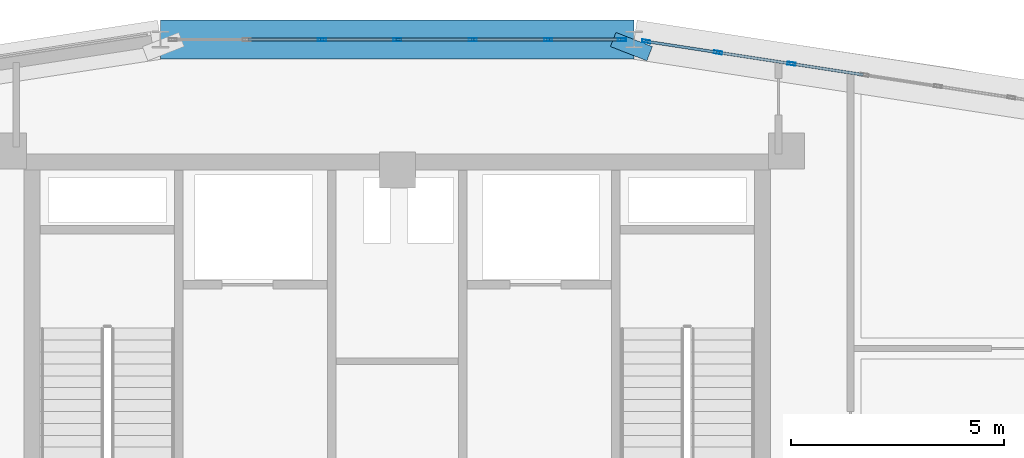
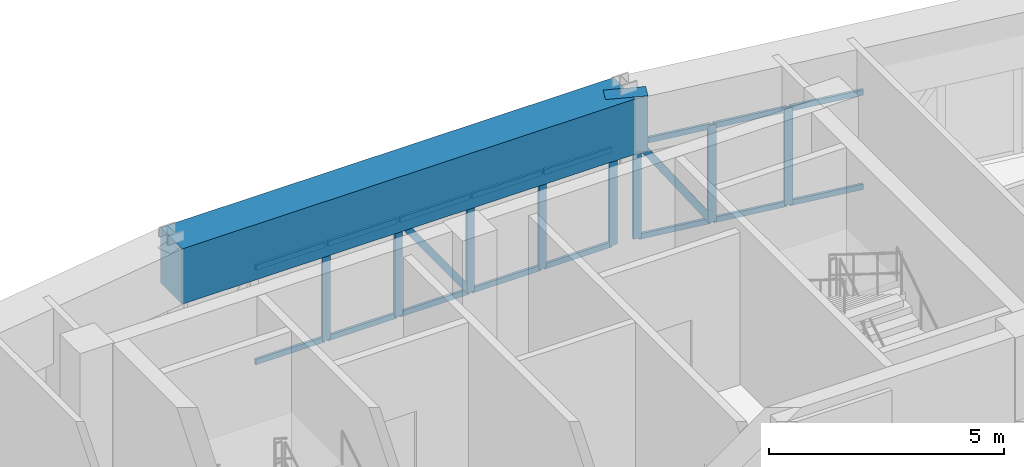
# One storey, part 9 of 17: 26 members, 2 beams, 2 elements without a shape of their own.
"""IFC4 building model written with IfcOpenShell, lengths in metres."""

from ifc_helpers import new_model, si_unit, derived_unit, direction, frame, origin, origin_2d, place, context, subcontext, project, spatial, rectangle, hollow_rectangle, extrude, source, transform, mapped, material, layer, layer_set, material_profile, profile_set, type_object, element, aggregate, save


model = new_model("IFC4")

# Units and contexts
model_context = context("Model", 3, precision=1e-05, world=origin(), true_north=direction((0.0, 1.0)))
body_context = subcontext(model_context, "Body", "Model", "MODEL_VIEW")
ifc_project = project(units=[si_unit("LENGTHUNIT", "METRE"), si_unit("AREAUNIT", "SQUARE_METRE"), si_unit("VOLUMEUNIT", "CUBIC_METRE"), si_unit("PLANEANGLEUNIT", "RADIAN"), si_unit("MASSUNIT", "GRAM", prefix="KILO"), derived_unit("THERMALTRANSMITTANCEUNIT", [(si_unit("POWERUNIT", "WATT"), 1), (si_unit("LENGTHUNIT", "METRE"), -2), (si_unit("THERMODYNAMICTEMPERATUREUNIT", "KELVIN"), -1)])], contexts=[model_context])

# Site, building, storey
site_placement = place(None, origin())
site = spatial("IfcSite", under=ifc_project, at=site_placement, CompositionType="ELEMENT")
building_placement = place(site_placement, origin())
building = spatial("IfcBuilding", under=site, at=building_placement, Name="Korsvarv Bourse and Concert Hall", CompositionType="ELEMENT")
storey_placement = place(building_placement, frame((0.0, 0.0, 279.60009765625)))
storey = spatial("IfcBuildingStorey", under=building, at=storey_placement, Name="L73", CompositionType="ELEMENT", Elevation=279.60009765625)

# Beams
ifc_material_1 = material(Name="Concrete C50/60", Category="concrete")
ifc_material_profile_1 = material_profile(ifc_material_1, rectangle(XDim=0.919921875, YDim=1.43994140625, at=origin_2d()), Name="RC-BM 920x1440")
ifc_profile_set_1 = profile_set([ifc_material_profile_1], Name="Concrete C50/60")
beam_type = type_object("IfcBeamType", Name="BM-TR-144", PredefinedType="BEAM", material=ifc_profile_set_1)
shared_shape_1 = source(origin(), body_context, "Body", "SweptSolid", [
    extrude(rectangle(XDim=0.919921875, YDim=1.43994140625, at=origin_2d()), origin(), (0.0, 0.0, 1.0), 0.3564453125),
])
beam_1_placement = place(storey_placement, frame((41.569580078125, 49.867919921875, 3.239990234375), z_axis=(-0.363701957319, -0.93151537091, 0.0), x_axis=(0.93151537091, -0.363701957319, 0.0)))
element("IfcBeam", 1, at=beam_1_placement, inside=storey, type_object=beam_type, Name="L73 beam B-TR4", PredefinedType="BEAM", context=body_context, shape_type="MappedRepresentation", body=[
    mapped(shared_shape_1, transform((0.0, 0.0, 0.0), scale=1.0)),
])
shared_shape_2 = source(origin(), body_context, "Body", "SweptSolid", [
    extrude(rectangle(XDim=0.919921875, YDim=1.43994140625, at=origin_2d()), origin(), (0.0, 0.0, 1.0), 11.13916015625),
])
beam_2_placement = place(storey_placement, frame((41.569580078125, 49.867919921875, 3.239990234375), z_axis=(-1.0, 0.0, 0.0), x_axis=(0.0, -1.0, 0.0)))
element("IfcBeam", 2, at=beam_2_placement, inside=storey, type_object=beam_type, Name="L73 beam B-TR4", PredefinedType="BEAM", context=body_context, shape_type="MappedRepresentation", body=[
    mapped(shared_shape_2, transform((0.0, 0.0, 0.0), scale=1.0)),
])

# Curtain wall, members
ifc_material_2 = material(Name="Anodised aluminium and triple low-E glazing", Category="glass")
ifc_layer = layer(ifc_material_2, 0.18994140625)
ifc_layer_set = layer_set([ifc_layer], Name="Anodised aluminium and triple low-E glazing")
curtain_wall_type = type_object("IfcCurtainWallType", Name="CW-SYS-4", PredefinedType="NOTDEFINED", material=ifc_layer_set)
curtain_wall_1_placement = place(storey_placement, origin())
curtain_wall_1 = element("IfcCurtainWall", 3, at=curtain_wall_1_placement, inside=storey, type_object=curtain_wall_type, Name="L73 CW4 curtain wall CW-L73-F02", PredefinedType="NOTDEFINED")
ifc_material_3 = material(Name="Extruded aluminium EN AW-6063 T66", Category="aluminium")
ifc_material_profile_2 = material_profile(ifc_material_3, hollow_rectangle(XDim=0.070068359375, YDim=0.18994140625, WallThickness=0.0048828125, at=origin_2d()), Name="ALU-M 70x190")
ifc_profile_set_2 = profile_set([ifc_material_profile_2], Name="Extruded aluminium EN AW-6063 T66")
member_type_1 = type_object("IfcMemberType", Name="CWM-190", PredefinedType="MULLION", material=ifc_profile_set_2)
shared_shape_3 = source(origin(), body_context, "Body", "SweptSolid", [
    extrude(hollow_rectangle(XDim=0.070068359375, YDim=0.18994140625, WallThickness=0.0048828125, at=origin_2d()), origin(), (0.0, 0.0, 1.0), 2.52001953125),
])
member_1_placement = place(storey_placement, frame((45.26806640625, 49.29931640625, 0.0), z_axis=(0.0, 0.0, 1.0), x_axis=(-0.151931020537, -0.98839109921, 0.0)))
member_1 = element("IfcMember", 4, at=member_1_placement, type_object=member_type_1, Name="CW4 mullion 6", PredefinedType="MULLION", context=body_context, shape_type="MappedRepresentation", body=[
    mapped(shared_shape_3, transform((0.0, 0.0, 0.0), scale=1.0)),
])
member_2_placement = place(storey_placement, frame((43.5439453125, 49.564208984375, 0.0), z_axis=(0.0, 0.0, 1.0), x_axis=(-0.151931020537, -0.98839109921, 0.0)))
member_2 = element("IfcMember", 5, at=member_2_placement, type_object=member_type_1, Name="CW4 mullion 7", PredefinedType="MULLION", context=body_context, shape_type="MappedRepresentation", body=[
    mapped(shared_shape_3, transform((0.0, 0.0, 0.0), scale=1.0)),
])
member_3_placement = place(storey_placement, frame((41.8544921875, 49.823974609375, 0.0), z_axis=(0.0, 0.0, 1.0), x_axis=(-0.151931020537, -0.98839109921, 0.0)))
member_3 = element("IfcMember", 6, at=member_3_placement, type_object=member_type_1, Name="CW4 mullion 8", PredefinedType="MULLION", context=body_context, shape_type="MappedRepresentation", body=[
    mapped(shared_shape_3, transform((0.0, 0.0, 0.0), scale=1.0)),
])

curtain_wall_2_placement = place(storey_placement, origin())
curtain_wall_2 = element("IfcCurtainWall", 7, at=curtain_wall_2_placement, inside=storey, type_object=curtain_wall_type, Name="L73 CW4 curtain wall CW-L73-F03", PredefinedType="NOTDEFINED")
member_4_placement = place(storey_placement, frame((41.283935546875, 49.867919921875, 0.0), z_axis=(0.0, 0.0, 1.0), x_axis=(0.0, -1.0, 0.0)))
member_4 = element("IfcMember", 8, at=member_4_placement, type_object=member_type_1, Name="CW4 mullion 1", PredefinedType="MULLION", context=body_context, shape_type="MappedRepresentation", body=[
    mapped(shared_shape_3, transform((0.0, 0.0, 0.0), scale=1.0)),
])
member_5_placement = place(storey_placement, frame((39.5458984375, 49.867919921875, 0.0), z_axis=(0.0, 0.0, 1.0), x_axis=(0.0, -1.0, 0.0)))
member_5 = element("IfcMember", 9, at=member_5_placement, type_object=member_type_1, Name="CW4 mullion 2", PredefinedType="MULLION", context=body_context, shape_type="MappedRepresentation", body=[
    mapped(shared_shape_3, transform((0.0, 0.0, 0.0), scale=1.0)),
])
member_6_placement = place(storey_placement, frame((37.77294921875, 49.867919921875, 0.0), z_axis=(0.0, 0.0, 1.0), x_axis=(0.0, -1.0, 0.0)))
member_6 = element("IfcMember", 10, at=member_6_placement, type_object=member_type_1, Name="CW4 mullion 3", PredefinedType="MULLION", context=body_context, shape_type="MappedRepresentation", body=[
    mapped(shared_shape_3, transform((0.0, 0.0, 0.0), scale=1.0)),
])
member_7_placement = place(storey_placement, frame((36.0, 49.867919921875, 0.0), z_axis=(0.0, 0.0, 1.0), x_axis=(0.0, -1.0, 0.0)))
member_7 = element("IfcMember", 11, at=member_7_placement, type_object=member_type_1, Name="CW4 mullion 4", PredefinedType="MULLION", context=body_context, shape_type="MappedRepresentation", body=[
    mapped(shared_shape_3, transform((0.0, 0.0, 0.0), scale=1.0)),
])
member_8_placement = place(storey_placement, frame((34.22705078125, 49.867919921875, 0.0), z_axis=(0.0, 0.0, 1.0), x_axis=(0.0, -1.0, 0.0)))
member_8 = element("IfcMember", 12, at=member_8_placement, type_object=member_type_1, Name="CW4 mullion 5", PredefinedType="MULLION", context=body_context, shape_type="MappedRepresentation", body=[
    mapped(shared_shape_3, transform((0.0, 0.0, 0.0), scale=1.0)),
])

# Member
ifc_material_profile_3 = material_profile(ifc_material_3, hollow_rectangle(XDim=0.06494140625, YDim=0.139892578125, WallThickness=0.00390625, at=origin_2d()), Name="ALU-T 65x140")
ifc_profile_set_3 = profile_set([ifc_material_profile_3], Name="Extruded aluminium EN AW-6063 T66")
member_type_2 = type_object("IfcMemberType", Name="CWT-140", PredefinedType="USERDEFINED", material=ifc_profile_set_3)
shared_shape_4 = source(origin(), body_context, "Body", "SweptSolid", [
    extrude(hollow_rectangle(XDim=0.06494140625, YDim=0.139892578125, WallThickness=0.00390625, at=origin_2d()), origin(), (0.0, 0.0, 1.0), 1.67431640625),
])
member_9_placement = place(storey_placement, frame((46.95751953125, 49.03955078125, 0.032470703125), z_axis=(-0.988388549731, 0.151947605314, 0.0), x_axis=(-0.151947605314, -0.988388549731, 0.0)))
member_9 = element("IfcMember", 13, at=member_9_placement, type_object=member_type_2, Name="CW4 transom 5.1", ObjectType="TRANSOM", PredefinedType="USERDEFINED", context=body_context, shape_type="MappedRepresentation", body=[
    mapped(shared_shape_4, transform((0.0, 0.0, 0.0), scale=1.0)),
])

member_10_placement = place(storey_placement, frame((46.95751953125, 49.03955078125, 2.4873046875), z_axis=(-0.988388549731, 0.151947605314, 0.0), x_axis=(-0.151947605314, -0.988388549731, 0.0)))
member_10 = element("IfcMember", 14, at=member_10_placement, type_object=member_type_2, Name="CW4 transom 5.2", ObjectType="TRANSOM", PredefinedType="USERDEFINED", context=body_context, shape_type="MappedRepresentation", body=[
    mapped(shared_shape_4, transform((0.0, 0.0, 0.0), scale=1.0)),
])

shared_shape_5 = source(origin(), body_context, "Body", "SweptSolid", [
    extrude(hollow_rectangle(XDim=0.06494140625, YDim=0.139892578125, WallThickness=0.00390625, at=origin_2d()), origin(), (0.0, 0.0, 1.0), 1.674560546875),
])
member_11_placement = place(storey_placement, frame((45.233642578125, 49.3046875, 0.032470703125), z_axis=(-0.988391915776, 0.151925708252, 0.0), x_axis=(-0.151925708252, -0.988391915776, 0.0)))
member_11 = element("IfcMember", 15, at=member_11_placement, type_object=member_type_2, Name="CW4 transom 6.1", ObjectType="TRANSOM", PredefinedType="USERDEFINED", context=body_context, shape_type="MappedRepresentation", body=[
    mapped(shared_shape_5, transform((0.0, 0.0, 0.0), scale=1.0)),
])

member_12_placement = place(storey_placement, frame((45.233642578125, 49.3046875, 2.4873046875), z_axis=(-0.988391915776, 0.151925708252, 0.0), x_axis=(-0.151925708252, -0.988391915776, 0.0)))
member_12 = element("IfcMember", 16, at=member_12_placement, type_object=member_type_2, Name="CW4 transom 6.2", ObjectType="TRANSOM", PredefinedType="USERDEFINED", context=body_context, shape_type="MappedRepresentation", body=[
    mapped(shared_shape_5, transform((0.0, 0.0, 0.0), scale=1.0)),
])

shared_shape_6 = source(origin(), body_context, "Body", "SweptSolid", [
    extrude(hollow_rectangle(XDim=0.06494140625, YDim=0.139892578125, WallThickness=0.00390625, at=origin_2d()), origin(), (0.0, 0.0, 1.0), 1.639404296875),
])
member_13_placement = place(storey_placement, frame((43.509521484375, 49.569580078125, 0.032470703125), z_axis=(-0.988395788228, 0.151900512881, 0.0), x_axis=(-0.151900512881, -0.988395788228, 0.0)))
member_13 = element("IfcMember", 17, at=member_13_placement, type_object=member_type_2, Name="CW4 transom 7.1", ObjectType="TRANSOM", PredefinedType="USERDEFINED", context=body_context, shape_type="MappedRepresentation", body=[
    mapped(shared_shape_6, transform((0.0, 0.0, 0.0), scale=1.0)),
])

member_14_placement = place(storey_placement, frame((43.509521484375, 49.569580078125, 2.4873046875), z_axis=(-0.988395788228, 0.151900512881, 0.0), x_axis=(-0.151900512881, -0.988395788228, 0.0)))
member_14 = element("IfcMember", 18, at=member_14_placement, type_object=member_type_2, Name="CW4 transom 7.2", ObjectType="TRANSOM", PredefinedType="USERDEFINED", context=body_context, shape_type="MappedRepresentation", body=[
    mapped(shared_shape_6, transform((0.0, 0.0, 0.0), scale=1.0)),
])

ifc_material_profile_4 = material_profile(ifc_material_3, hollow_rectangle(XDim=0.06494140625, YDim=0.1650390625, WallThickness=0.0048828125, at=origin_2d()), Name="ALU-M 65x165")
ifc_profile_set_4 = profile_set([ifc_material_profile_4], Name="Extruded aluminium EN AW-6063 T66")
member_type_3 = type_object("IfcMemberType", Name="CWM-165", PredefinedType="MULLION", material=ifc_profile_set_4)
shared_shape_7 = source(origin(), body_context, "Body", "SweptSolid", [
    extrude(hollow_rectangle(XDim=0.06494140625, YDim=0.1650390625, WallThickness=0.0048828125, at=origin_2d()), origin(), (0.0, 0.0, 1.0), 2.898193359375),
])
member_15_placement = place(storey_placement, frame((43.509521484375, 49.569580078125, 0.06494140625), z_axis=(-0.559105394899, 0.085925493867, 0.824632019084), x_axis=(-0.151900512881, -0.988395788228, 0.0)))
member_15 = element("IfcMember", 19, at=member_15_placement, type_object=member_type_3, Name="CW4 diagonal mullion 7", PredefinedType="MULLION", context=body_context, shape_type="MappedRepresentation", body=[
    mapped(shared_shape_7, transform((0.0, 0.0, 0.0), scale=1.0)),
])

aggregate(curtain_wall_1, [member_1, member_2, member_3, member_9, member_10, member_11, member_12, member_13, member_14, member_15])

shared_shape_8 = source(origin(), body_context, "Body", "SweptSolid", [
    extrude(hollow_rectangle(XDim=0.06494140625, YDim=0.139892578125, WallThickness=0.00390625, at=origin_2d()), origin(), (0.0, 0.0, 1.0), 1.66796875),
])
member_16_placement = place(storey_placement, frame((41.2490234375, 49.867919921875, 0.032470703125), z_axis=(-1.0, 0.0, 0.0), x_axis=(0.0, -1.0, 0.0)))
member_16 = element("IfcMember", 20, at=member_16_placement, type_object=member_type_2, Name="CW4 transom 1.1", ObjectType="TRANSOM", PredefinedType="USERDEFINED", context=body_context, shape_type="MappedRepresentation", body=[
    mapped(shared_shape_8, transform((0.0, 0.0, 0.0), scale=1.0)),
])

member_17_placement = place(storey_placement, frame((41.2490234375, 49.867919921875, 2.4873046875), z_axis=(-1.0, 0.0, 0.0), x_axis=(0.0, -1.0, 0.0)))
member_17 = element("IfcMember", 21, at=member_17_placement, type_object=member_type_2, Name="CW4 transom 1.2", ObjectType="TRANSOM", PredefinedType="USERDEFINED", context=body_context, shape_type="MappedRepresentation", body=[
    mapped(shared_shape_8, transform((0.0, 0.0, 0.0), scale=1.0)),
])

shared_shape_9 = source(origin(), body_context, "Body", "SweptSolid", [
    extrude(hollow_rectangle(XDim=0.06494140625, YDim=0.139892578125, WallThickness=0.00390625, at=origin_2d()), origin(), (0.0, 0.0, 1.0), 1.702880859375),
])
member_18_placement = place(storey_placement, frame((39.510986328125, 49.867919921875, 0.032470703125), z_axis=(-1.0, 0.0, 0.0), x_axis=(0.0, -1.0, 0.0)))
member_18 = element("IfcMember", 22, at=member_18_placement, type_object=member_type_2, Name="CW4 transom 2.1", ObjectType="TRANSOM", PredefinedType="USERDEFINED", context=body_context, shape_type="MappedRepresentation", body=[
    mapped(shared_shape_9, transform((0.0, 0.0, 0.0), scale=1.0)),
])

member_19_placement = place(storey_placement, frame((39.510986328125, 49.867919921875, 2.4873046875), z_axis=(-1.0, 0.0, 0.0), x_axis=(0.0, -1.0, 0.0)))
member_19 = element("IfcMember", 23, at=member_19_placement, type_object=member_type_2, Name="CW4 transom 2.2", ObjectType="TRANSOM", PredefinedType="USERDEFINED", context=body_context, shape_type="MappedRepresentation", body=[
    mapped(shared_shape_9, transform((0.0, 0.0, 0.0), scale=1.0)),
])

member_20_placement = place(storey_placement, frame((34.19189453125, 49.867919921875, 0.032470703125), z_axis=(-1.0, 0.0, 0.0), x_axis=(0.0, -1.0, 0.0)))
member_20 = element("IfcMember", 24, at=member_20_placement, type_object=member_type_2, Name="CW4 transom 5.1", ObjectType="TRANSOM", PredefinedType="USERDEFINED", context=body_context, shape_type="MappedRepresentation", body=[
    mapped(shared_shape_9, transform((0.0, 0.0, 0.0), scale=1.0)),
])

member_21_placement = place(storey_placement, frame((34.19189453125, 49.867919921875, 2.4873046875), z_axis=(-1.0, 0.0, 0.0), x_axis=(0.0, -1.0, 0.0)))
member_21 = element("IfcMember", 25, at=member_21_placement, type_object=member_type_2, Name="CW4 transom 5.2", ObjectType="TRANSOM", PredefinedType="USERDEFINED", context=body_context, shape_type="MappedRepresentation", body=[
    mapped(shared_shape_9, transform((0.0, 0.0, 0.0), scale=1.0)),
])

shared_shape_10 = source(origin(), body_context, "Body", "SweptSolid", [
    extrude(hollow_rectangle(XDim=0.06494140625, YDim=0.139892578125, WallThickness=0.00390625, at=origin_2d()), origin(), (0.0, 0.0, 1.0), 1.703125),
])
member_22_placement = place(storey_placement, frame((37.738037109375, 49.867919921875, 0.032470703125), z_axis=(-1.0, 0.0, 0.0), x_axis=(0.0, -1.0, 0.0)))
member_22 = element("IfcMember", 26, at=member_22_placement, type_object=member_type_2, Name="CW4 transom 3.1", ObjectType="TRANSOM", PredefinedType="USERDEFINED", context=body_context, shape_type="MappedRepresentation", body=[
    mapped(shared_shape_10, transform((0.0, 0.0, 0.0), scale=1.0)),
])

member_23_placement = place(storey_placement, frame((37.738037109375, 49.867919921875, 2.4873046875), z_axis=(-1.0, 0.0, 0.0), x_axis=(0.0, -1.0, 0.0)))
member_23 = element("IfcMember", 27, at=member_23_placement, type_object=member_type_2, Name="CW4 transom 3.2", ObjectType="TRANSOM", PredefinedType="USERDEFINED", context=body_context, shape_type="MappedRepresentation", body=[
    mapped(shared_shape_10, transform((0.0, 0.0, 0.0), scale=1.0)),
])

member_24_placement = place(storey_placement, frame((35.965087890625, 49.867919921875, 0.032470703125), z_axis=(-1.0, 0.0, 0.0), x_axis=(0.0, -1.0, 0.0)))
member_24 = element("IfcMember", 28, at=member_24_placement, type_object=member_type_2, Name="CW4 transom 4.1", ObjectType="TRANSOM", PredefinedType="USERDEFINED", context=body_context, shape_type="MappedRepresentation", body=[
    mapped(shared_shape_10, transform((0.0, 0.0, 0.0), scale=1.0)),
])

member_25_placement = place(storey_placement, frame((35.965087890625, 49.867919921875, 2.4873046875), z_axis=(-1.0, 0.0, 0.0), x_axis=(0.0, -1.0, 0.0)))
member_25 = element("IfcMember", 29, at=member_25_placement, type_object=member_type_2, Name="CW4 transom 4.2", ObjectType="TRANSOM", PredefinedType="USERDEFINED", context=body_context, shape_type="MappedRepresentation", body=[
    mapped(shared_shape_10, transform((0.0, 0.0, 0.0), scale=1.0)),
])

shared_shape_11 = source(origin(), body_context, "Body", "SweptSolid", [
    extrude(hollow_rectangle(XDim=0.06494140625, YDim=0.1650390625, WallThickness=0.0048828125, at=origin_2d()), origin(), (0.0, 0.0, 1.0), 2.9345703125),
])
member_26_placement = place(storey_placement, frame((37.738037109375, 49.867919921875, 0.06494140625), z_axis=(-0.580348589789, 0.0, 0.814368168785), x_axis=(0.0, -1.0, 0.0)))
member_26 = element("IfcMember", 30, at=member_26_placement, type_object=member_type_3, Name="CW4 diagonal mullion 3", PredefinedType="MULLION", context=body_context, shape_type="MappedRepresentation", body=[
    mapped(shared_shape_11, transform((0.0, 0.0, 0.0), scale=1.0)),
])

aggregate(curtain_wall_2, [member_4, member_5, member_6, member_7, member_8, member_16, member_17, member_18, member_19, member_22, member_23, member_26, member_24, member_25, member_20, member_21])

save(model, "model.ifc")
